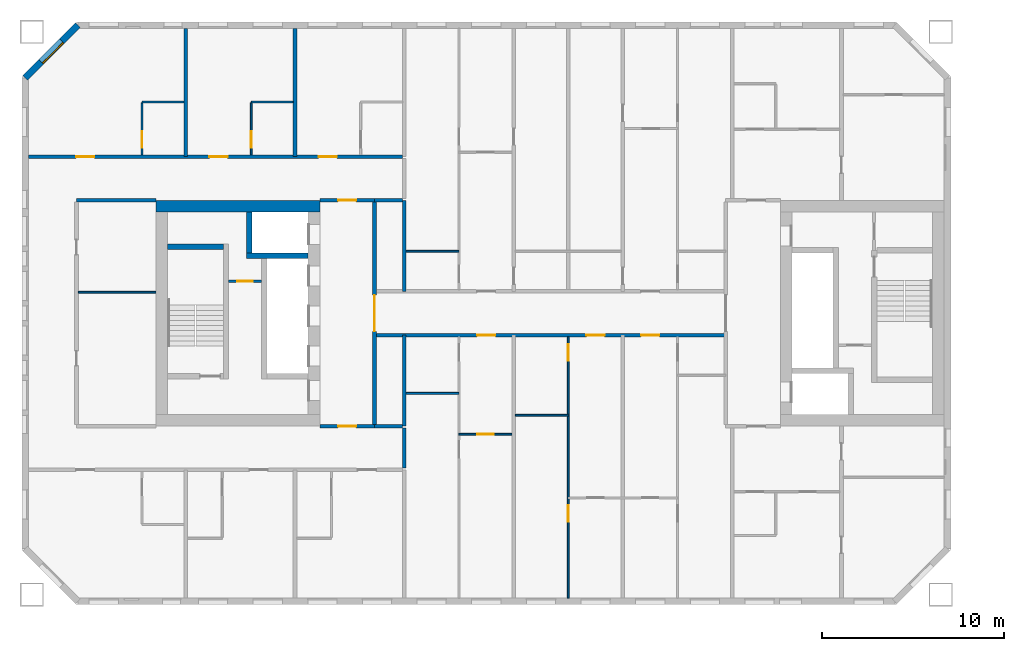
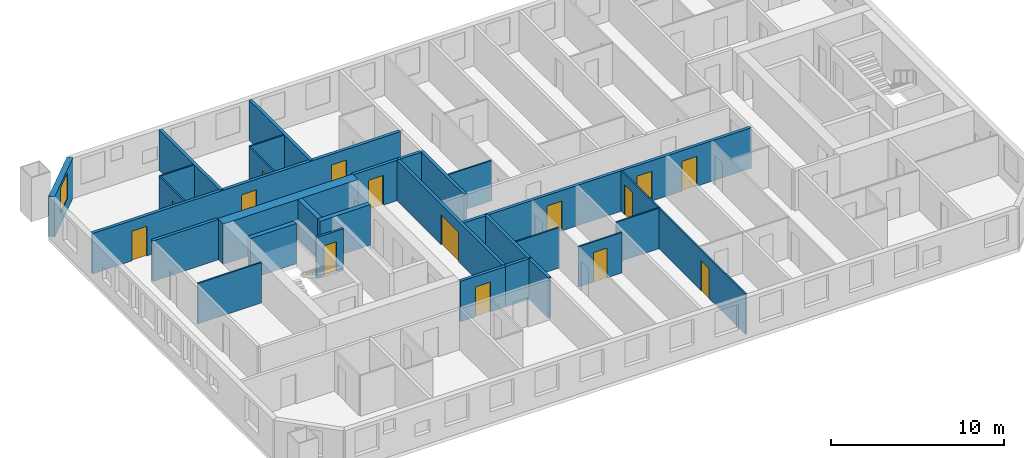
# One storey, part 4 of 17: 29 walls, 15 doors, 1 window, 16 openings.
"""IFC4 building model written with IfcOpenShell, lengths in metres."""

import ifcopenshell
import ifcopenshell.guid

model = None  # the IFC model being written
_history = None  # IfcOwnerHistory: only IFC2X3 demands one
_inside = {}  # id of a spatial element -> (the spatial element, [elements in it])
_under = {}  # id of a project, library or spatial element -> (it, [spatial elements below it])
_declared = {}  # id of a project -> (the project, [libraries it declares])
_typed = {}  # id of a type object -> (the type object, [elements of that type])
_made_of = {}  # id of a material, layer set ... -> (it, [elements and type objects made of it])


def new_model(schema):
    """Start an empty IFC model of exactly this schema.

    Asked for "IFC4X3", IfcOpenShell would pick the latest addendum, in which some entities
    have other attributes; the version numbers below select the first issue.
    IFC2X3 requires an IfcOwnerHistory on every rooted entity: one is made here for all.
    """
    global model, _history
    if schema == "IFC4X3":
        model = ifcopenshell.file(schema_version=(4, 3, 0, 0))
    else:
        model = ifcopenshell.file(schema=schema)
    _inside.clear()
    _under.clear()
    _declared.clear()
    _typed.clear()
    _made_of.clear()
    _history = None
    if model.schema == "IFC2X3":
        org = make("IfcOrganization", Name="unknown")
        user = make(
            "IfcPersonAndOrganization",
            ThePerson=make("IfcPerson", FamilyName="unknown"),
            TheOrganization=org,
        )
        app = make(
            "IfcApplication",
            ApplicationDeveloper=org,
            Version="unknown",
            ApplicationFullName="unknown",
            ApplicationIdentifier="unknown",
        )
        _history = make(
            "IfcOwnerHistory",
            OwningUser=user,
            OwningApplication=app,
            ChangeAction="ADDED",
            CreationDate=0,
        )
    return model


def make(cls, **values):
    """One entity of the class cls with the attributes given. An attribute that is None is left unset."""
    return model.create_entity(
        cls, **{name: value for name, value in values.items() if value is not None}
    )


def rooted(cls, **values):
    """An entity with a GlobalId (a new one), such as an element, a storey or a relation."""
    return make(cls, GlobalId=ifcopenshell.guid.new(), OwnerHistory=_history, **values)


def si_unit(unit_type, name, prefix=None):
    """IfcSIUnit, for example si_unit("LENGTHUNIT", "METRE", prefix="MILLI")."""
    return make("IfcSIUnit", UnitType=unit_type, Prefix=prefix, Name=name)


def assignment(units):
    """IfcUnitAssignment: the units of a project."""
    return None if units is None else make("IfcUnitAssignment", Units=units)


def point(xyz):
    """IfcCartesianPoint."""
    return None if xyz is None else make("IfcCartesianPoint", Coordinates=xyz)


def direction(xyz):
    """IfcDirection."""
    return None if xyz is None else make("IfcDirection", DirectionRatios=xyz)


def frame(location, z_axis=None, x_axis=None):
    """IfcAxis2Placement3D, a coordinate frame: its origin and axes. An axis left out is left unset."""
    return make(
        "IfcAxis2Placement3D",
        Location=point(location),
        Axis=direction(z_axis),
        RefDirection=direction(x_axis),
    )


def frame_2d(location, x_axis=None):
    """IfcAxis2Placement2D, a coordinate frame in the plane: its origin and x axis."""
    return make(
        "IfcAxis2Placement2D", Location=point(location), RefDirection=direction(x_axis)
    )


def origin():
    """The frame at (0, 0, 0) with its axes left unset."""
    return frame((0.0, 0.0, 0.0))


def place(relative_to, where):
    """IfcLocalPlacement: puts the frame where relative to a parent placement (None: the world)."""
    return make(
        "IfcLocalPlacement", PlacementRelTo=relative_to, RelativePlacement=where
    )


def context(
    kind, dimensions, precision=None, world=None, true_north=None, identifier=None
):
    """IfcGeometricRepresentationContext, for example the 3D "Model" context."""
    return make(
        "IfcGeometricRepresentationContext",
        ContextIdentifier=identifier,
        ContextType=kind,
        CoordinateSpaceDimension=dimensions,
        Precision=precision,
        WorldCoordinateSystem=world,
        TrueNorth=true_north,
    )


def subcontext(parent, identifier, kind, view, scale=None):
    """IfcGeometricRepresentationSubContext, for example "Body" below "Model"."""
    return make(
        "IfcGeometricRepresentationSubContext",
        ContextIdentifier=identifier,
        ContextType=kind,
        ParentContext=parent,
        TargetScale=scale,
        TargetView=view,
    )


def project(units=None, contexts=None):
    """IfcProject with its units and contexts."""
    return rooted(
        "IfcProject",
        Name="project",
        RepresentationContexts=contexts,
        UnitsInContext=assignment(units),
    )


def spatial(cls, under=None, at=None, **own):
    """A site, building, storey or space (cls), placed at a placement, below another one or the project."""
    s = rooted(cls, ObjectPlacement=at, **own)
    if under is not None:
        _under.setdefault(under.id(), (under, []))[1].append(s)
    return s


def profile(cls, at=None, kind="AREA", **sizes):
    """A parametric profile (cls). Its sizes go by their IFC names, for example OverallWidth=200.0."""
    return make(cls, ProfileType=kind, Position=at, **sizes)


def rectangle(**sizes):
    """IfcRectangleProfileDef."""
    return profile("IfcRectangleProfileDef", **sizes)


def extrude(swept, where, along, depth):
    """IfcExtrudedAreaSolid: the profile swept, set in the frame where, extruded along a direction by depth."""
    return make(
        "IfcExtrudedAreaSolid",
        SweptArea=swept,
        Position=where,
        ExtrudedDirection=direction(along),
        Depth=depth,
    )


def shape(context_of_items, identifier, shape_type, items):
    """IfcShapeRepresentation: the items that make up one representation, for example the "Body"."""
    return make(
        "IfcShapeRepresentation",
        ContextOfItems=context_of_items,
        RepresentationIdentifier=identifier,
        RepresentationType=shape_type,
        Items=items,
    )


def material(Name=None, Category=None):
    """IfcMaterial."""
    return make("IfcMaterial", Name=Name, Category=Category)


def layer(
    of_material, thickness, ventilated=None, Name=None, Category=None, Priority=None
):
    """IfcMaterialLayer: one layer of a wall or slab, of a material (None: an air gap)."""
    return make(
        "IfcMaterialLayer",
        Material=of_material,
        LayerThickness=thickness,
        IsVentilated=ventilated,
        Name=Name,
        Category=Category,
        Priority=Priority,
    )


def layer_set(layers, Name=None):
    """IfcMaterialLayerSet."""
    return make("IfcMaterialLayerSet", MaterialLayers=layers, LayerSetName=Name)


def made_of(thing, what):
    """Note that an element or type object is made of a material, layer set ...; save() writes the relation."""
    if what is not None:
        _made_of.setdefault(what.id(), (what, []))[1].append(thing)
    return thing


def type_object(cls, material=None, **own):
    """A type object (cls), such as IfcWallType, which elements share."""
    return made_of(rooted(cls, **own), material)


def element(
    cls,
    number,
    at=None,
    inside=None,
    cuts=None,
    type_object=None,
    material=None,
    context=None,
    identifier="Body",
    shape_type=None,
    held_by="IfcProductDefinitionShape",
    body=None,
    shapes=None,
    **own,
):
    """One element of the class cls, such as IfcWall. Its Tag is "e" and its number.

    at: its placement. inside: the storey or other place that contains it. cuts: it is an
    opening in that element (IfcRelVoidsElement). A single representation is given by context,
    identifier, shape_type and body (its items); several are given by shapes. held_by: the class
    of the entity that holds the representations. save() writes the other relations.
    """
    e = rooted(cls, Tag="e%d" % number, ObjectPlacement=at, **own)
    if body is not None:
        shapes = [shape(context, identifier, shape_type, body)]
    if shapes is not None:
        e.Representation = make(held_by, Representations=shapes)
    if inside is not None:
        _inside.setdefault(inside.id(), (inside, []))[1].append(e)
    if cuts is not None:
        rooted(
            "IfcRelVoidsElement", RelatingBuildingElement=cuts, RelatedOpeningElement=e
        )
    if type_object is not None:
        _typed.setdefault(type_object.id(), (type_object, []))[1].append(e)
    return made_of(e, material)


def fill(opening, filler):
    """IfcRelFillsElement: the door or window that sits in an opening."""
    return rooted(
        "IfcRelFillsElement",
        RelatingOpeningElement=opening,
        RelatedBuildingElement=filler,
    )


def aggregate(whole, parts):
    """IfcRelAggregates: a whole, such as a stair, and the parts it consists of."""
    return rooted("IfcRelAggregates", RelatingObject=whole, RelatedObjects=parts)


def save(model, path):
    """Write the relations noted so far, then the file.

    IfcRelAggregates (storeys below a building ...), IfcRelContainedInSpatialStructure (elements
    in a storey), IfcRelDefinesByType, IfcRelAssociatesMaterial and IfcRelDeclares: one each for
    every whole, place, type object, material and project.
    """
    for whole, parts in _under.values():
        aggregate(whole, parts)
    for where, things in _inside.values():
        rooted(
            "IfcRelContainedInSpatialStructure",
            RelatedElements=things,
            RelatingStructure=where,
        )
    for kind, things in _typed.values():
        rooted("IfcRelDefinesByType", RelatedObjects=things, RelatingType=kind)
    for what, things in _made_of.values():
        rooted("IfcRelAssociatesMaterial", RelatedObjects=things, RelatingMaterial=what)
    for by, libraries in _declared.values():
        rooted("IfcRelDeclares", RelatingContext=by, RelatedDefinitions=libraries)
    model.write(path)


model = new_model("IFC4")

# Units and contexts
model_context = context("Model", 3, precision=1e-05, world=origin(), true_north=direction((0.0, 1.0)))
body_context = subcontext(model_context, "Body", "Model", "MODEL_VIEW")
ifc_project = project(units=[si_unit("LENGTHUNIT", "METRE"), si_unit("AREAUNIT", "SQUARE_METRE"), si_unit("VOLUMEUNIT", "CUBIC_METRE"), si_unit("PLANEANGLEUNIT", "RADIAN"), si_unit("MASSUNIT", "GRAM", prefix="KILO")], contexts=[model_context])

# Site, building, storey
site_placement = place(None, origin())
site = spatial("IfcSite", under=ifc_project, at=site_placement, CompositionType="ELEMENT")
building_placement = place(site_placement, origin())
building = spatial("IfcBuilding", under=site, at=building_placement, Name="Tuart Gate Housing", CompositionType="ELEMENT")
storey_placement = place(building_placement, frame((0.0, 0.0, 99.5)))
storey = spatial("IfcBuildingStorey", under=building, at=storey_placement, Name="L27", CompositionType="ELEMENT", Elevation=99.5)

# Wall, opening, window
ifc_material_1 = material(Name="Brick", Category="masonry")
ifc_layer_1 = layer(ifc_material_1, 0.360107421875)
ifc_layer_set_1 = layer_set([ifc_layer_1], Name="Brick pier and spandrel wall 360")
wall_type_1 = type_object("IfcWallType", Name="Brick pier and spandrel wall 360", PredefinedType="STANDARD", material=ifc_layer_set_1)
wall_1_placement = place(storey_placement, frame((28.07470703125, 85.820068359375, 0.0), z_axis=(0.0, 0.0, 1.0), x_axis=(-0.707106781187, -0.707106781187, 0.0)))
wall_1 = element("IfcWall", 1, at=wall_1_placement, inside=storey, type_object=wall_type_1, Name="External wall A-NW L27", PredefinedType="STANDARD", context=body_context, shape_type="SweptSolid", body=[
    extrude(rectangle(XDim=4.09375, YDim=0.360107421875, at=frame_2d((2.046875, 0.0))), origin(), (0.0, 0.0, 1.0), 2.85009765625),
])
opening_1_placement = place(wall_1_placement, frame((1.2470703125, 0.0, 0.800048828125)))
opening_1 = element("IfcOpeningElement", 2, at=opening_1_placement, cuts=wall_1, Name="Opening W1", PredefinedType="OPENING", context=body_context, shape_type="SweptSolid", body=[
    extrude(rectangle(XDim=1.60009765625, YDim=1.800048828125, at=frame_2d((0.800048828125, 0.89990234375))), frame((0.0, 0.18994140625, 0.0), z_axis=(0.0, -1.0, 0.0), x_axis=(1.0, 0.0, 0.0)), (0.0, 0.0, 1.0), 0.380126953125),
])
ifc_material_2 = material(Name="Aluminium frame with clear glass", Category="aluminium")
window_type = type_object("IfcWindowType", Name="Punched window 1600 x 1800", PartitioningType="SINGLE_PANEL", PredefinedType="WINDOW", material=ifc_material_2)
window_placement = place(opening_1_placement, origin())
window = element("IfcWindow", 3, at=window_placement, inside=storey, type_object=window_type, Name="Window W1", OverallHeight=1.800048828125, OverallWidth=1.60009765625, PartitioningType="SINGLE_PANEL", PredefinedType="WINDOW", context=body_context, shape_type="SweptSolid", body=[
    extrude(rectangle(XDim=1.60009765625, YDim=1.800048828125, at=frame_2d((0.800048828125, 0.89990234375))), frame((0.0, 0.150146484375, 0.0), z_axis=(0.0, -1.0, 0.0), x_axis=(1.0, 0.0, 0.0)), (0.0, 0.0, 1.0), 0.06005859375),
])
fill(opening_1, window)

# Wall, opening, door
ifc_material_3 = material(Name="Plasterboard partition")
ifc_layer_2 = layer(ifc_material_3, 0.14990234375)
ifc_layer_set_2 = layer_set([ifc_layer_2], Name="Core partition 150")
wall_type_2 = type_object("IfcWallType", Name="Core partition 150", PredefinedType="PARTITIONING", material=ifc_layer_set_2)
wall_2_placement = place(storey_placement, frame((38.159912109375, 71.75, 0.0), z_axis=(0.0, 0.0, 1.0), x_axis=(-1.0, 0.0, 0.0)))
wall_2 = element("IfcWall", 4, at=wall_2_placement, inside=storey, type_object=wall_type_2, Name="Core partition AK.3", PredefinedType="PARTITIONING", context=body_context, shape_type="SweptSolid", body=[
    extrude(rectangle(XDim=1.7998046875, YDim=0.14990234375, at=frame_2d((0.89990234375, 0.0))), origin(), (0.0, 0.0, 1.0), 2.85009765625),
])
opening_2_placement = place(wall_2_placement, frame((0.47509765625, 0.0, 0.0)))
opening_2 = element("IfcOpeningElement", 5, at=opening_2_placement, cuts=wall_2, Name="Opening D1089", PredefinedType="OPENING", context=body_context, shape_type="SweptSolid", body=[
    extrude(rectangle(XDim=0.85009765625, YDim=2.10009765625, at=frame_2d((0.425048828125, 1.050048828125))), frame((0.0, 0.0849609375, 0.0), z_axis=(0.0, -1.0, 0.0), x_axis=(1.0, 0.0, 0.0)), (0.0, 0.0, 1.0), 0.169921875),
])
ifc_material_4 = material(Name="Steel fire door", Category="steel")
door_type_1 = type_object("IfcDoorType", Name="Riser door 850 x 2100 RH", OperationType="SINGLE_SWING_RIGHT", PredefinedType="DOOR", material=ifc_material_4)
door_1_placement = place(opening_2_placement, frame((0.85009765625, 0.0, 0.0), z_axis=(0.0, 0.0, 1.0), x_axis=(-1.0, 0.0, 0.0)))
door_1 = element("IfcDoor", 6, at=door_1_placement, inside=storey, type_object=door_type_1, Name="Service room door AK.E1", OperationType="SINGLE_SWING_RIGHT", OverallHeight=2.10009765625, OverallWidth=0.85009765625, PredefinedType="DOOR", context=body_context, shape_type="SweptSolid", body=[
    extrude(rectangle(XDim=0.85009765625, YDim=2.10009765625, at=frame_2d((0.425048828125, 1.050048828125))), frame((0.0, 0.025146484375, 0.0), z_axis=(0.0, -1.0, 0.0), x_axis=(1.0, 0.0, 0.0)), (0.0, 0.0, 1.0), 0.050048828125),
])
fill(opening_2, door_1)

# Walls
ifc_material_5 = material(Name="Concrete C50", Category="concrete")
ifc_layer_3 = layer(ifc_material_5, 0.300048828125)
ifc_layer_set_3 = layer_set([ifc_layer_3], Name="Core wall 300 C50")
wall_type_3 = type_object("IfcWallType", Name="Core wall 300 C50", PredefinedType="SHEAR", material=ifc_layer_set_3)
wall_3_placement = place(storey_placement, frame((36.06005859375, 73.64990234375, 0.0), z_axis=(0.0, 0.0, 1.0), x_axis=(-1.0, 0.0, 0.0)))
element("IfcWall", 7, at=wall_3_placement, inside=storey, type_object=wall_type_3, Name="Core wall AK.1", PredefinedType="SHEAR", context=body_context, shape_type="SweptSolid", body=[
    extrude(rectangle(XDim=3.050048828125, YDim=0.300048828125, at=frame_2d((1.52490234375, 0.0))), origin(), (0.0, 0.0, 1.0), 2.85009765625),
])
wall_4_placement = place(storey_placement, frame((40.7099609375, 73.14990234375, 0.0), z_axis=(0.0, 0.0, 1.0), x_axis=(-1.0, 0.0, 0.0)))
element("IfcWall", 8, at=wall_4_placement, inside=storey, type_object=wall_type_3, Name="Core wall AK.2", PredefinedType="SHEAR", context=body_context, shape_type="SweptSolid", body=[
    extrude(rectangle(XDim=3.369873046875, YDim=0.300048828125, at=frame_2d((1.68505859375, 0.0))), origin(), (0.0, 0.0, 1.0), 2.85009765625),
])
wall_5_placement = place(storey_placement, frame((37.489990234375, 75.550048828125, 0.0), z_axis=(0.0, 0.0, 1.0), x_axis=(0.0, -1.0, 0.0)))
element("IfcWall", 9, at=wall_5_placement, inside=storey, type_object=wall_type_3, Name="Core wall AK.7", PredefinedType="SHEAR", context=body_context, shape_type="SweptSolid", body=[
    extrude(rectangle(XDim=2.25, YDim=0.300048828125, at=frame_2d((1.125, 0.0))), origin(), (0.0, 0.0, 1.0), 2.85009765625),
])
ifc_material_6 = material(Name="Concrete C50", Category="concrete")
ifc_layer_4 = layer(ifc_material_6, 0.64990234375)
ifc_layer_set_4 = layer_set([ifc_layer_4], Name="Core wall 650 C50")
wall_type_4 = type_object("IfcWallType", Name="Core wall 650 C50", PredefinedType="SHEAR", material=ifc_layer_set_4)
wall_6_placement = place(storey_placement, frame((41.360107421875, 75.875, 0.0), z_axis=(0.0, 0.0, 1.0), x_axis=(-1.0, 0.0, 0.0)))
element("IfcWall", 10, at=wall_6_placement, inside=storey, type_object=wall_type_4, Name="Core wall AK south", PredefinedType="SHEAR", context=body_context, shape_type="SweptSolid", body=[
    extrude(rectangle(XDim=9.0, YDim=0.64990234375, at=frame_2d((4.5, 0.0))), origin(), (0.0, 0.0, 1.0), 2.85009765625),
])
ifc_material_7 = material(Name="Concrete masonry 15 MPa", Category="masonry")
ifc_layer_5 = layer(ifc_material_7, 0.199951171875)
ifc_layer_set_5 = layer_set([ifc_layer_5], Name="Corridor wall masonry 200")
wall_type_5 = type_object("IfcWallType", Name="Corridor wall masonry 200", PredefinedType="PARTITIONING", material=ifc_layer_set_5)
wall_7_placement = place(storey_placement, frame((44.360107421875, 63.800048828125, 0.0), z_axis=(0.0, 0.0, 1.0), x_axis=(1.0, 0.0, 0.0)))
element("IfcWall", 11, at=wall_7_placement, inside=storey, type_object=wall_type_5, Name="Corridor wall masonry 200", PredefinedType="PARTITIONING", context=body_context, shape_type="SweptSolid", body=[
    extrude(rectangle(XDim=1.539794921875, YDim=0.199951171875, at=frame_2d((0.77001953125, 0.0))), origin(), (0.0, 0.0, 1.0), 2.85009765625),
])

# Wall, openings, doors
wall_8_placement = place(storey_placement, frame((44.360107421875, 68.800048828125, 0.0), z_axis=(0.0, 0.0, 1.0), x_axis=(1.0, 0.0, 0.0)))
wall_8 = element("IfcWall", 12, at=wall_8_placement, inside=storey, type_object=wall_type_5, Name="Corridor wall masonry 200", PredefinedType="PARTITIONING", context=body_context, shape_type="SweptSolid", body=[
    extrude(rectangle(XDim=19.27978515625, YDim=0.199951171875, at=frame_2d((9.639892578125, 0.0))), origin(), (0.0, 0.0, 1.0), 2.85009765625),
])
opening_3_placement = place(wall_8_placement, frame((14.639892578125, 0.0, 0.0)))
opening_3 = element("IfcOpeningElement", 13, at=opening_3_placement, cuts=wall_8, Name="Opening D1099", PredefinedType="OPENING", context=body_context, shape_type="SweptSolid", body=[
    extrude(rectangle(XDim=1.0, YDim=2.10009765625, at=frame_2d((0.5, 1.050048828125))), frame((0.0, 0.10986328125, 0.0), z_axis=(0.0, -1.0, 0.0), x_axis=(1.0, 0.0, 0.0)), (0.0, 0.0, 1.0), 0.219970703125),
])
opening_4_placement = place(wall_8_placement, frame((11.639892578125, 0.0, 0.0)))
opening_4 = element("IfcOpeningElement", 14, at=opening_4_placement, cuts=wall_8, Name="Opening D1100", PredefinedType="OPENING", context=body_context, shape_type="SweptSolid", body=[
    extrude(rectangle(XDim=1.0, YDim=2.10009765625, at=frame_2d((0.5, 1.050048828125))), frame((0.0, 0.10986328125, 0.0), z_axis=(0.0, -1.0, 0.0), x_axis=(1.0, 0.0, 0.0)), (0.0, 0.0, 1.0), 0.219970703125),
])
opening_5_placement = place(wall_8_placement, frame((5.639892578125, 0.0, 0.0)))
opening_5 = element("IfcOpeningElement", 15, at=opening_5_placement, cuts=wall_8, Name="Opening D1101", PredefinedType="OPENING", context=body_context, shape_type="SweptSolid", body=[
    extrude(rectangle(XDim=1.0, YDim=2.10009765625, at=frame_2d((0.5, 1.050048828125))), frame((0.0, 0.10986328125, 0.0), z_axis=(0.0, -1.0, 0.0), x_axis=(1.0, 0.0, 0.0)), (0.0, 0.0, 1.0), 0.219970703125),
])
ifc_material_8 = material(Name="Timber door leaf in steel frame", Category="steel")
door_type_2 = type_object("IfcDoorType", Name="Flat entrance door 1000 RH", OperationType="SINGLE_SWING_RIGHT", PredefinedType="DOOR", material=ifc_material_8)
door_2_placement = place(opening_3_placement, frame((1.0, 0.0, 0.0), z_axis=(0.0, 0.0, 1.0), x_axis=(-1.0, 0.0, 0.0)))
door_2 = element("IfcDoor", 16, at=door_2_placement, inside=storey, type_object=door_type_2, Name="Flat entrance door", OperationType="SINGLE_SWING_RIGHT", OverallHeight=2.10009765625, OverallWidth=1.0, PredefinedType="DOOR", context=body_context, shape_type="SweptSolid", body=[
    extrude(rectangle(XDim=1.0, YDim=2.10009765625, at=frame_2d((0.5, 1.050048828125))), frame((0.0, 0.025146484375, 0.0), z_axis=(0.0, -1.0, 0.0), x_axis=(1.0, 0.0, 0.0)), (0.0, 0.0, 1.0), 0.050048828125),
])
fill(opening_3, door_2)
door_3_placement = place(opening_4_placement, frame((1.0, 0.0, 0.0), z_axis=(0.0, 0.0, 1.0), x_axis=(-1.0, 0.0, 0.0)))
door_3 = element("IfcDoor", 17, at=door_3_placement, inside=storey, type_object=door_type_2, Name="Flat entrance door", OperationType="SINGLE_SWING_RIGHT", OverallHeight=2.10009765625, OverallWidth=1.0, PredefinedType="DOOR", context=body_context, shape_type="SweptSolid", body=[
    extrude(rectangle(XDim=1.0, YDim=2.10009765625, at=frame_2d((0.5, 1.050048828125))), frame((0.0, 0.025146484375, 0.0), z_axis=(0.0, -1.0, 0.0), x_axis=(1.0, 0.0, 0.0)), (0.0, 0.0, 1.0), 0.050048828125),
])
fill(opening_4, door_3)
door_4_placement = place(opening_5_placement, frame((1.0, 0.0, 0.0), z_axis=(0.0, 0.0, 1.0), x_axis=(-1.0, 0.0, 0.0)))
door_4 = element("IfcDoor", 18, at=door_4_placement, inside=storey, type_object=door_type_2, Name="Flat entrance door", OperationType="SINGLE_SWING_RIGHT", OverallHeight=2.10009765625, OverallWidth=1.0, PredefinedType="DOOR", context=body_context, shape_type="SweptSolid", body=[
    extrude(rectangle(XDim=1.0, YDim=2.10009765625, at=frame_2d((0.5, 1.050048828125))), frame((0.0, 0.025146484375, 0.0), z_axis=(0.0, -1.0, 0.0), x_axis=(1.0, 0.0, 0.0)), (0.0, 0.0, 1.0), 0.050048828125),
])
fill(opening_5, door_4)

# Walls
wall_9_placement = place(storey_placement, frame((28.0, 76.199951171875, 0.0), z_axis=(0.0, 0.0, 1.0), x_axis=(1.0, 0.0, 0.0)))
element("IfcWall", 19, at=wall_9_placement, inside=storey, type_object=wall_type_5, Name="Corridor wall masonry 200", PredefinedType="PARTITIONING", context=body_context, shape_type="SweptSolid", body=[
    extrude(rectangle(XDim=4.360107421875, YDim=0.199951171875, at=frame_2d((2.18017578125, 0.0))), origin(), (0.0, 0.0, 1.0), 2.85009765625),
])
wall_10_placement = place(storey_placement, frame((44.360107421875, 76.199951171875, 0.0), z_axis=(0.0, 0.0, 1.0), x_axis=(1.0, 0.0, 0.0)))
element("IfcWall", 20, at=wall_10_placement, inside=storey, type_object=wall_type_5, Name="Corridor wall masonry 200", PredefinedType="PARTITIONING", context=body_context, shape_type="SweptSolid", body=[
    extrude(rectangle(XDim=1.539794921875, YDim=0.199951171875, at=frame_2d((0.77001953125, 0.0))), origin(), (0.0, 0.0, 1.0), 2.85009765625),
])

# Wall, openings, doors
wall_11_placement = place(storey_placement, frame((25.360107421875, 78.60009765625, 0.0), z_axis=(0.0, 0.0, 1.0), x_axis=(1.0, 0.0, 0.0)))
wall_11 = element("IfcWall", 21, at=wall_11_placement, inside=storey, type_object=wall_type_5, Name="Corridor wall masonry 200", PredefinedType="PARTITIONING", context=body_context, shape_type="SweptSolid", body=[
    extrude(rectangle(XDim=20.539794921875, YDim=0.199951171875, at=frame_2d((10.27001953125, 0.0))), origin(), (0.0, 0.0, 1.0), 2.85009765625),
])
opening_6_placement = place(wall_11_placement, frame((15.93994140625, 0.0, 0.0)))
opening_6 = element("IfcOpeningElement", 22, at=opening_6_placement, cuts=wall_11, Name="Opening D1075", PredefinedType="OPENING", context=body_context, shape_type="SweptSolid", body=[
    extrude(rectangle(XDim=1.0, YDim=2.10009765625, at=frame_2d((0.5, 1.050048828125))), frame((0.0, 0.10986328125, 0.0), z_axis=(0.0, -1.0, 0.0), x_axis=(1.0, 0.0, 0.0)), (0.0, 0.0, 1.0), 0.219970703125),
])
opening_7_placement = place(wall_11_placement, frame((9.93994140625, 0.0, 0.0)))
opening_7 = element("IfcOpeningElement", 23, at=opening_7_placement, cuts=wall_11, Name="Opening D1076", PredefinedType="OPENING", context=body_context, shape_type="SweptSolid", body=[
    extrude(rectangle(XDim=1.0, YDim=2.10009765625, at=frame_2d((0.5, 1.050048828125))), frame((0.0, 0.10986328125, 0.0), z_axis=(0.0, -1.0, 0.0), x_axis=(1.0, 0.0, 0.0)), (0.0, 0.0, 1.0), 0.219970703125),
])
opening_8_placement = place(wall_11_placement, frame((2.6201171875, 0.0, 0.0)))
opening_8 = element("IfcOpeningElement", 24, at=opening_8_placement, cuts=wall_11, Name="Opening D1077", PredefinedType="OPENING", context=body_context, shape_type="SweptSolid", body=[
    extrude(rectangle(XDim=1.0, YDim=2.10009765625, at=frame_2d((0.5, 1.050048828125))), frame((0.0, 0.10986328125, 0.0), z_axis=(0.0, -1.0, 0.0), x_axis=(1.0, 0.0, 0.0)), (0.0, 0.0, 1.0), 0.219970703125),
])
ifc_material_9 = material(Name="Timber door leaf in steel frame", Category="steel")
door_type_3 = type_object("IfcDoorType", Name="Flat entrance door 1000", OperationType="SINGLE_SWING_LEFT", PredefinedType="DOOR", material=ifc_material_9)
door_5_placement = place(opening_6_placement, origin())
door_5 = element("IfcDoor", 25, at=door_5_placement, inside=storey, type_object=door_type_3, Name="Flat entrance door", OperationType="SINGLE_SWING_LEFT", OverallHeight=2.10009765625, OverallWidth=1.0, PredefinedType="DOOR", context=body_context, shape_type="SweptSolid", body=[
    extrude(rectangle(XDim=1.0, YDim=2.10009765625, at=frame_2d((0.5, 1.050048828125))), frame((0.0, 0.02490234375, 0.0), z_axis=(0.0, -1.0, 0.0), x_axis=(1.0, 0.0, 0.0)), (0.0, 0.0, 1.0), 0.050048828125),
])
fill(opening_6, door_5)
door_6_placement = place(opening_7_placement, origin())
door_6 = element("IfcDoor", 26, at=door_6_placement, inside=storey, type_object=door_type_3, Name="Flat entrance door", OperationType="SINGLE_SWING_LEFT", OverallHeight=2.10009765625, OverallWidth=1.0, PredefinedType="DOOR", context=body_context, shape_type="SweptSolid", body=[
    extrude(rectangle(XDim=1.0, YDim=2.10009765625, at=frame_2d((0.5, 1.050048828125))), frame((0.0, 0.02490234375, 0.0), z_axis=(0.0, -1.0, 0.0), x_axis=(1.0, 0.0, 0.0)), (0.0, 0.0, 1.0), 0.050048828125),
])
fill(opening_7, door_6)
door_7_placement = place(opening_8_placement, origin())
door_7 = element("IfcDoor", 27, at=door_7_placement, inside=storey, type_object=door_type_3, Name="Flat entrance door", OperationType="SINGLE_SWING_LEFT", OverallHeight=2.10009765625, OverallWidth=1.0, PredefinedType="DOOR", context=body_context, shape_type="SweptSolid", body=[
    extrude(rectangle(XDim=1.0, YDim=2.10009765625, at=frame_2d((0.5, 1.050048828125))), frame((0.0, 0.02490234375, 0.0), z_axis=(0.0, -1.0, 0.0), x_axis=(1.0, 0.0, 0.0)), (0.0, 0.0, 1.0), 0.050048828125),
])
fill(opening_8, door_7)

# Wall
wall_12_placement = place(storey_placement, frame((46.0, 61.5, 0.0), z_axis=(0.0, 0.0, 1.0), x_axis=(0.0, 1.0, 0.0)))
element("IfcWall", 28, at=wall_12_placement, inside=storey, type_object=wall_type_5, Name="Corridor wall masonry 200", PredefinedType="PARTITIONING", context=body_context, shape_type="SweptSolid", body=[
    extrude(rectangle(XDim=2.199951171875, YDim=0.199951171875, at=frame_2d((1.10009765625, 0.0))), origin(), (0.0, 0.0, 1.0), 2.85009765625),
])

# Wall, opening, door
ifc_material_10 = material(Name="Concrete masonry 15 MPa", Category="masonry")
ifc_layer_6 = layer(ifc_material_10, 0.199951171875)
ifc_layer_set_6 = layer_set([ifc_layer_6], Name="Enclosure wall masonry 200")
wall_type_6 = type_object("IfcWallType", Name="Enclosure wall masonry 200", PredefinedType="PARTITIONING", material=ifc_layer_set_6)
wall_13_placement = place(storey_placement, frame((41.360107421875, 63.800048828125, 0.0), z_axis=(0.0, 0.0, 1.0), x_axis=(1.0, 0.0, 0.0)))
wall_13 = element("IfcWall", 29, at=wall_13_placement, inside=storey, type_object=wall_type_6, Name="Enclosure wall masonry 200", PredefinedType="PARTITIONING", context=body_context, shape_type="SweptSolid", body=[
    extrude(rectangle(XDim=3.0, YDim=0.199951171875, at=frame_2d((1.5, 0.0))), origin(), (0.0, 0.0, 1.0), 2.85009765625),
])
opening_9_placement = place(wall_13_placement, frame((1.0, 0.0, 0.0)))
opening_9 = element("IfcOpeningElement", 30, at=opening_9_placement, cuts=wall_13, Name="Opening D1104", PredefinedType="OPENING", context=body_context, shape_type="SweptSolid", body=[
    extrude(rectangle(XDim=1.0, YDim=2.10009765625, at=frame_2d((0.5, 1.050048828125))), frame((0.0, 0.10986328125, 0.0), z_axis=(0.0, -1.0, 0.0), x_axis=(1.0, 0.0, 0.0)), (0.0, 0.0, 1.0), 0.219970703125),
])
ifc_material_11 = material(Name="Timber door leaf in steel frame", Category="steel")
door_type_4 = type_object("IfcDoorType", Name="Fire door 1000", OperationType="SINGLE_SWING_LEFT", PredefinedType="DOOR", material=ifc_material_11)
door_8_placement = place(opening_9_placement, frame((1.0, 0.0, 0.0), z_axis=(0.0, 0.0, 1.0), x_axis=(-1.0, 0.0, 0.0)))
door_8 = element("IfcDoor", 31, at=door_8_placement, inside=storey, type_object=door_type_4, Name="Fire door", OperationType="SINGLE_SWING_LEFT", OverallHeight=2.10009765625, OverallWidth=1.0, PredefinedType="DOOR", context=body_context, shape_type="SweptSolid", body=[
    extrude(rectangle(XDim=1.0, YDim=2.10009765625, at=frame_2d((0.5, 1.050048828125))), frame((0.0, 0.025146484375, 0.0), z_axis=(0.0, -1.0, 0.0), x_axis=(1.0, 0.0, 0.0)), (0.0, 0.0, 1.0), 0.050048828125),
])
fill(opening_9, door_8)

wall_14_placement = place(storey_placement, frame((41.360107421875, 76.199951171875, 0.0), z_axis=(0.0, 0.0, 1.0), x_axis=(1.0, 0.0, 0.0)))
wall_14 = element("IfcWall", 32, at=wall_14_placement, inside=storey, type_object=wall_type_6, Name="Enclosure wall masonry 200", PredefinedType="PARTITIONING", context=body_context, shape_type="SweptSolid", body=[
    extrude(rectangle(XDim=3.0, YDim=0.199951171875, at=frame_2d((1.5, 0.0))), origin(), (0.0, 0.0, 1.0), 2.85009765625),
])
opening_10_placement = place(wall_14_placement, frame((1.0, 0.0, 0.0)))
opening_10 = element("IfcOpeningElement", 33, at=opening_10_placement, cuts=wall_14, Name="Opening D1086", PredefinedType="OPENING", context=body_context, shape_type="SweptSolid", body=[
    extrude(rectangle(XDim=1.0, YDim=2.10009765625, at=frame_2d((0.5, 1.050048828125))), frame((0.0, 0.10986328125, 0.0), z_axis=(0.0, -1.0, 0.0), x_axis=(1.0, 0.0, 0.0)), (0.0, 0.0, 1.0), 0.219970703125),
])
ifc_material_12 = material(Name="Timber door leaf in steel frame", Category="steel")
door_type_5 = type_object("IfcDoorType", Name="Fire door 1000 RH", OperationType="SINGLE_SWING_RIGHT", PredefinedType="DOOR", material=ifc_material_12)
door_9_placement = place(opening_10_placement, origin())
door_9 = element("IfcDoor", 34, at=door_9_placement, inside=storey, type_object=door_type_5, Name="Fire door", OperationType="SINGLE_SWING_RIGHT", OverallHeight=2.10009765625, OverallWidth=1.0, PredefinedType="DOOR", context=body_context, shape_type="SweptSolid", body=[
    extrude(rectangle(XDim=1.0, YDim=2.10009765625, at=frame_2d((0.5, 1.050048828125))), frame((0.0, 0.02490234375, 0.0), z_axis=(0.0, -1.0, 0.0), x_axis=(1.0, 0.0, 0.0)), (0.0, 0.0, 1.0), 0.050048828125),
])
fill(opening_10, door_9)

ifc_material_13 = material(Name="Plasterboard partition")
ifc_layer_7 = layer(ifc_material_13, 0.199951171875)
ifc_layer_set_7 = layer_set([ifc_layer_7], Name="Lobby wall 200")
wall_type_7 = type_object("IfcWallType", Name="Lobby wall 200", PredefinedType="PARTITIONING", material=ifc_layer_set_7)
wall_15_placement = place(storey_placement, frame((44.360107421875, 63.89990234375, 0.0), z_axis=(0.0, 0.0, 1.0), x_axis=(0.0, 1.0, 0.0)))
wall_15 = element("IfcWall", 35, at=wall_15_placement, inside=storey, type_object=wall_type_7, Name="Lift lobby wall AK", PredefinedType="PARTITIONING", context=body_context, shape_type="SweptSolid", body=[
    extrude(rectangle(XDim=12.2001953125, YDim=0.199951171875, at=frame_2d((6.10009765625, 0.0))), origin(), (0.0, 0.0, 1.0), 2.85009765625),
])
opening_11_placement = place(wall_15_placement, frame((5.10009765625, 0.0, 0.0)))
opening_11 = element("IfcOpeningElement", 36, at=opening_11_placement, cuts=wall_15, Name="Opening D1095", PredefinedType="OPENING", context=body_context, shape_type="SweptSolid", body=[
    extrude(rectangle(XDim=2.0, YDim=2.10009765625, at=frame_2d((1.0, 1.050048828125))), frame((0.0, 0.10986328125, 0.0), z_axis=(0.0, -1.0, 0.0), x_axis=(1.0, 0.0, 0.0)), (0.0, 0.0, 1.0), 0.219970703125),
])
ifc_material_14 = material(Name="Steel fire door", Category="steel")
door_type_6 = type_object("IfcDoorType", Name="Smoke door 2000 x 2100", OperationType="DOUBLE_DOOR_SINGLE_SWING", PredefinedType="DOOR", material=ifc_material_14)
door_10_placement = place(opening_11_placement, origin())
door_10 = element("IfcDoor", 37, at=door_10_placement, inside=storey, type_object=door_type_6, Name="Lift lobby smoke door AK", OperationType="DOUBLE_DOOR_SINGLE_SWING", OverallHeight=2.10009765625, OverallWidth=2.0, PredefinedType="DOOR", context=body_context, shape_type="SweptSolid", body=[
    extrude(rectangle(XDim=2.0, YDim=2.10009765625, at=frame_2d((1.0, 1.050048828125))), frame((0.0, 0.02490234375, 0.0), z_axis=(0.0, -1.0, 0.0), x_axis=(1.0, 0.0, 0.0)), (0.0, 0.0, 1.0), 0.050048828125),
])
fill(opening_11, door_10)

ifc_material_15 = material(Name="Gypsum board on steel studs", Category="steel")
ifc_layer_8 = layer(ifc_material_15, 0.10009765625)
ifc_layer_set_8 = layer_set([ifc_layer_8], Name="Partition 100")
wall_type_8 = type_object("IfcWallType", Name="Partition 100", PredefinedType="PARTITIONING", material=ifc_layer_set_8)
wall_16_placement = place(storey_placement, frame((49.0, 63.360107421875, 0.0), z_axis=(0.0, 0.0, 1.0), x_axis=(1.0, 0.0, 0.0)))
wall_16 = element("IfcWall", 38, at=wall_16_placement, inside=storey, type_object=wall_type_8, Name="Partition 100", PredefinedType="PARTITIONING", context=body_context, shape_type="SweptSolid", body=[
    extrude(rectangle(XDim=2.89990234375, YDim=0.10009765625, at=frame_2d((1.449951171875, 0.0))), origin(), (0.0, 0.0, 1.0), 2.85009765625),
])
opening_12_placement = place(wall_16_placement, frame((1.0, 0.0, 0.0)))
opening_12 = element("IfcOpeningElement", 39, at=opening_12_placement, cuts=wall_16, Name="Opening D1106", PredefinedType="OPENING", context=body_context, shape_type="SweptSolid", body=[
    extrude(rectangle(XDim=0.89990234375, YDim=2.10009765625, at=frame_2d((0.449951171875, 1.050048828125))), frame((0.0, 0.06005859375, 0.0), z_axis=(0.0, -1.0, 0.0), x_axis=(1.0, 0.0, 0.0)), (0.0, 0.0, 1.0), 0.1201171875),
])
ifc_material_16 = material(Name="Timber door leaf in steel frame", Category="steel")
door_type_7 = type_object("IfcDoorType", Name="Internal door 900", OperationType="SINGLE_SWING_LEFT", PredefinedType="DOOR", material=ifc_material_16)
door_11_placement = place(opening_12_placement, origin())
door_11 = element("IfcDoor", 40, at=door_11_placement, inside=storey, type_object=door_type_7, Name="Internal door", OperationType="SINGLE_SWING_LEFT", OverallHeight=2.10009765625, OverallWidth=0.89990234375, PredefinedType="DOOR", context=body_context, shape_type="SweptSolid", body=[
    extrude(rectangle(XDim=0.89990234375, YDim=2.10009765625, at=frame_2d((0.449951171875, 1.050048828125))), frame((0.0, 0.02490234375, 0.0), z_axis=(0.0, -1.0, 0.0), x_axis=(1.0, 0.0, 0.0)), (0.0, 0.0, 1.0), 0.050048828125),
])
fill(opening_12, door_11)

# Walls
for number, where, z_axis, x_axis, name in (
    (41, (52.10009765625, 64.39990234375, 0.0), (0.0, 0.0, 1.0), (1.0, 0.0, 0.0), "Partition 100"),
    (42, (46.10009765625, 65.60009765625, 0.0), (0.0, 0.0, 1.0), (1.0, 0.0, 0.0), "Partition 100"),
):
    element("IfcWall", number, at=place(storey_placement, frame(where, z_axis=z_axis, x_axis=x_axis)), inside=storey, type_object=wall_type_8, Name=name, PredefinedType="PARTITIONING", context=body_context, shape_type="SweptSolid", body=[
        extrude(rectangle(XDim=2.89990234375, YDim=0.10009765625, at=frame_2d((1.449951171875, 0.0))), origin(), (0.0, 0.0, 1.0), 2.85009765625),
    ])
wall_17_placement = place(storey_placement, frame((28.10009765625, 71.14990234375, 0.0), z_axis=(0.0, 0.0, 1.0), x_axis=(1.0, 0.0, 0.0)))
element("IfcWall", 43, at=wall_17_placement, inside=storey, type_object=wall_type_8, Name="Partition 100", PredefinedType="PARTITIONING", context=body_context, shape_type="SweptSolid", body=[
    extrude(rectangle(XDim=4.260009765625, YDim=0.10009765625, at=frame_2d((2.1298828125, 0.0))), origin(), (0.0, 0.0, 1.0), 2.85009765625),
])
wall_18_placement = place(storey_placement, frame((46.10009765625, 73.39990234375, 0.0), z_axis=(0.0, 0.0, 1.0), x_axis=(1.0, 0.0, 0.0)))
element("IfcWall", 44, at=wall_18_placement, inside=storey, type_object=wall_type_8, Name="Partition 100", PredefinedType="PARTITIONING", context=body_context, shape_type="SweptSolid", body=[
    extrude(rectangle(XDim=2.89990234375, YDim=0.10009765625, at=frame_2d((1.449951171875, 0.0))), origin(), (0.0, 0.0, 1.0), 2.85009765625),
])
for number, where, z_axis, x_axis, name in (
    (45, (31.60009765625, 81.60009765625, 0.0), (0.0, 0.0, 1.0), (1.0, 0.0, 0.0), "Partition 100"),
    (46, (37.60009765625, 81.60009765625, 0.0), (0.0, 0.0, 1.0), (1.0, 0.0, 0.0), "Partition 100"),
):
    element("IfcWall", number, at=place(storey_placement, frame(where, z_axis=z_axis, x_axis=x_axis)), inside=storey, type_object=wall_type_8, Name=name, PredefinedType="PARTITIONING", context=body_context, shape_type="SweptSolid", body=[
        extrude(rectangle(XDim=2.2998046875, YDim=0.10009765625, at=frame_2d((1.14990234375, 0.0))), origin(), (0.0, 0.0, 1.0), 2.85009765625),
    ])

# Wall, opening, door
wall_19_placement = place(storey_placement, frame((31.60009765625, 78.699951171875, 0.0), z_axis=(0.0, 0.0, 1.0), x_axis=(0.0, 1.0, 0.0)))
wall_19 = element("IfcWall", 47, at=wall_19_placement, inside=storey, type_object=wall_type_8, Name="Partition 100", PredefinedType="PARTITIONING", context=body_context, shape_type="SweptSolid", body=[
    extrude(rectangle(XDim=2.85009765625, YDim=0.10009765625, at=frame_2d((1.425048828125, 0.0))), origin(), (0.0, 0.0, 1.0), 2.85009765625),
])
opening_13_placement = place(wall_19_placement, frame((0.39990234375, 0.0, 0.0)))
opening_13 = element("IfcOpeningElement", 48, at=opening_13_placement, cuts=wall_19, Name="Opening D1069", PredefinedType="OPENING", context=body_context, shape_type="SweptSolid", body=[
    extrude(rectangle(XDim=0.89990234375, YDim=2.10009765625, at=frame_2d((0.449951171875, 1.050048828125))), frame((0.0, 0.06005859375, 0.0), z_axis=(0.0, -1.0, 0.0), x_axis=(1.0, 0.0, 0.0)), (0.0, 0.0, 1.0), 0.1201171875),
])
ifc_material_17 = material(Name="Timber door leaf in steel frame", Category="steel")
door_type_8 = type_object("IfcDoorType", Name="Bathroom door 900 RH", OperationType="SINGLE_SWING_RIGHT", PredefinedType="DOOR", material=ifc_material_17)
door_12_placement = place(opening_13_placement, frame((0.89990234375, 0.0, 0.0), z_axis=(0.0, 0.0, 1.0), x_axis=(-1.0, 0.0, 0.0)))
door_12 = element("IfcDoor", 49, at=door_12_placement, inside=storey, type_object=door_type_8, Name="Bathroom door", OperationType="SINGLE_SWING_RIGHT", OverallHeight=2.10009765625, OverallWidth=0.89990234375, PredefinedType="DOOR", context=body_context, shape_type="SweptSolid", body=[
    extrude(rectangle(XDim=0.89990234375, YDim=2.10009765625, at=frame_2d((0.449951171875, 1.050048828125))), frame((0.0, 0.025146484375, 0.0), z_axis=(0.0, -1.0, 0.0), x_axis=(1.0, 0.0, 0.0)), (0.0, 0.0, 1.0), 0.050048828125),
])
fill(opening_13, door_12)

wall_20_placement = place(storey_placement, frame((37.60009765625, 78.699951171875, 0.0), z_axis=(0.0, 0.0, 1.0), x_axis=(0.0, 1.0, 0.0)))
wall_20 = element("IfcWall", 50, at=wall_20_placement, inside=storey, type_object=wall_type_8, Name="Partition 100", PredefinedType="PARTITIONING", context=body_context, shape_type="SweptSolid", body=[
    extrude(rectangle(XDim=2.85009765625, YDim=0.10009765625, at=frame_2d((1.425048828125, 0.0))), origin(), (0.0, 0.0, 1.0), 2.85009765625),
])
opening_14_placement = place(wall_20_placement, frame((0.39990234375, 0.0, 0.0)))
opening_14 = element("IfcOpeningElement", 51, at=opening_14_placement, cuts=wall_20, Name="Opening D1070", PredefinedType="OPENING", context=body_context, shape_type="SweptSolid", body=[
    extrude(rectangle(XDim=0.89990234375, YDim=2.10009765625, at=frame_2d((0.449951171875, 1.050048828125))), frame((0.0, 0.06005859375, 0.0), z_axis=(0.0, -1.0, 0.0), x_axis=(1.0, 0.0, 0.0)), (0.0, 0.0, 1.0), 0.1201171875),
])
door_13_placement = place(opening_14_placement, frame((0.89990234375, 0.0, 0.0), z_axis=(0.0, 0.0, 1.0), x_axis=(-1.0, 0.0, 0.0)))
door_13 = element("IfcDoor", 52, at=door_13_placement, inside=storey, type_object=door_type_8, Name="Bathroom door", OperationType="SINGLE_SWING_RIGHT", OverallHeight=2.10009765625, OverallWidth=0.89990234375, PredefinedType="DOOR", context=body_context, shape_type="SweptSolid", body=[
    extrude(rectangle(XDim=0.89990234375, YDim=2.10009765625, at=frame_2d((0.449951171875, 1.050048828125))), frame((0.0, 0.025146484375, 0.0), z_axis=(0.0, -1.0, 0.0), x_axis=(1.0, 0.0, 0.0)), (0.0, 0.0, 1.0), 0.050048828125),
])
fill(opening_14, door_13)

# Wall, openings, doors
wall_21_placement = place(storey_placement, frame((55.0, 54.360107421875, 0.0), z_axis=(0.0, 0.0, 1.0), x_axis=(0.0, 1.0, 0.0)))
wall_21 = element("IfcWall", 53, at=wall_21_placement, inside=storey, type_object=wall_type_8, Name="Partition 100", PredefinedType="PARTITIONING", context=body_context, shape_type="SweptSolid", body=[
    extrude(rectangle(XDim=14.33984375, YDim=0.10009765625, at=frame_2d((7.169921875, 0.0))), origin(), (0.0, 0.0, 1.0), 2.85009765625),
])
opening_15_placement = place(wall_21_placement, frame((4.199951171875, 0.0, 0.0)))
opening_15 = element("IfcOpeningElement", 54, at=opening_15_placement, cuts=wall_21, Name="Opening D1110", PredefinedType="OPENING", context=body_context, shape_type="SweptSolid", body=[
    extrude(rectangle(XDim=0.89990234375, YDim=2.10009765625, at=frame_2d((0.449951171875, 1.050048828125))), frame((0.0, 0.06005859375, 0.0), z_axis=(0.0, -1.0, 0.0), x_axis=(1.0, 0.0, 0.0)), (0.0, 0.0, 1.0), 0.1201171875),
])
opening_16_placement = place(wall_21_placement, frame((13.0400390625, 0.0, 0.0)))
opening_16 = element("IfcOpeningElement", 55, at=opening_16_placement, cuts=wall_21, Name="Opening D1109", PredefinedType="OPENING", context=body_context, shape_type="SweptSolid", body=[
    extrude(rectangle(XDim=0.89990234375, YDim=2.10009765625, at=frame_2d((0.449951171875, 1.050048828125))), frame((0.0, 0.06005859375, 0.0), z_axis=(0.0, -1.0, 0.0), x_axis=(1.0, 0.0, 0.0)), (0.0, 0.0, 1.0), 0.1201171875),
])
door_14_placement = place(opening_16_placement, origin())
door_14 = element("IfcDoor", 56, at=door_14_placement, inside=storey, type_object=door_type_8, Name="Bathroom door", OperationType="SINGLE_SWING_RIGHT", OverallHeight=2.10009765625, OverallWidth=0.89990234375, PredefinedType="DOOR", context=body_context, shape_type="SweptSolid", body=[
    extrude(rectangle(XDim=0.89990234375, YDim=2.10009765625, at=frame_2d((0.449951171875, 1.050048828125))), frame((0.0, 0.02490234375, 0.0), z_axis=(0.0, -1.0, 0.0), x_axis=(1.0, 0.0, 0.0)), (0.0, 0.0, 1.0), 0.050048828125),
])
fill(opening_16, door_14)
door_15_placement = place(opening_15_placement, origin())
door_15 = element("IfcDoor", 57, at=door_15_placement, inside=storey, type_object=door_type_7, Name="Internal door", OperationType="SINGLE_SWING_LEFT", OverallHeight=2.10009765625, OverallWidth=0.89990234375, PredefinedType="DOOR", context=body_context, shape_type="SweptSolid", body=[
    extrude(rectangle(XDim=0.89990234375, YDim=2.10009765625, at=frame_2d((0.449951171875, 1.050048828125))), frame((0.0, 0.02490234375, 0.0), z_axis=(0.0, -1.0, 0.0), x_axis=(1.0, 0.0, 0.0)), (0.0, 0.0, 1.0), 0.050048828125),
])
fill(opening_15, door_15)

# Walls
ifc_material_18 = material(Name="Concrete C40", Category="concrete")
ifc_layer_9 = layer(ifc_material_18, 0.199951171875)
ifc_layer_set_9 = layer_set([ifc_layer_9], Name="Party wall concrete C40 200")
wall_type_9 = type_object("IfcWallType", Name="Party wall concrete C40 200", PredefinedType="SOLIDWALL", material=ifc_layer_set_9)
for number, where, z_axis, x_axis, name in (
    (58, (34.0, 78.60009765625, 0.0), (0.0, 0.0, 1.0), (0.0, 1.0, 0.0), "Party wall concrete C40 200"),
    (59, (40.0, 78.60009765625, 0.0), (0.0, 0.0, 1.0), (0.0, 1.0, 0.0), "Party wall concrete C40 200"),
):
    element("IfcWall", number, at=place(storey_placement, frame(where, z_axis=z_axis, x_axis=x_axis)), inside=storey, type_object=wall_type_9, Name=name, PredefinedType="SOLIDWALL", context=body_context, shape_type="SweptSolid", body=[
        extrude(rectangle(XDim=7.039794921875, YDim=0.199951171875, at=frame_2d((3.52001953125, 0.0))), origin(), (0.0, 0.0, 1.0), 2.85009765625),
    ])
for number, where, z_axis, x_axis, name in (
    (60, (46.0, 63.800048828125, 0.0), (0.0, 0.0, 1.0), (0.0, 1.0, 0.0), "Party wall concrete C40 200"),
    (61, (46.0, 71.199951171875, 0.0), (0.0, 0.0, 1.0), (0.0, 1.0, 0.0), "Party wall concrete C40 200"),
):
    element("IfcWall", number, at=place(storey_placement, frame(where, z_axis=z_axis, x_axis=x_axis)), inside=storey, type_object=wall_type_9, Name=name, PredefinedType="SOLIDWALL", context=body_context, shape_type="SweptSolid", body=[
        extrude(rectangle(XDim=5.0, YDim=0.199951171875, at=frame_2d((2.5, 0.0))), origin(), (0.0, 0.0, 1.0), 2.85009765625),
    ])

save(model, "model.ifc")
